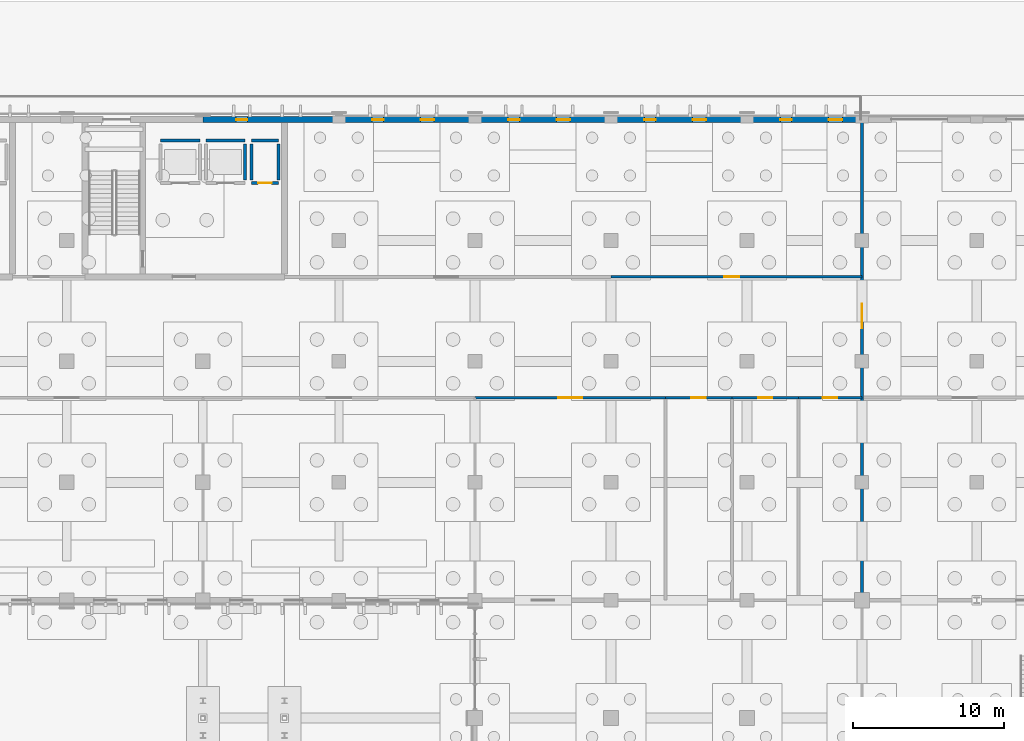
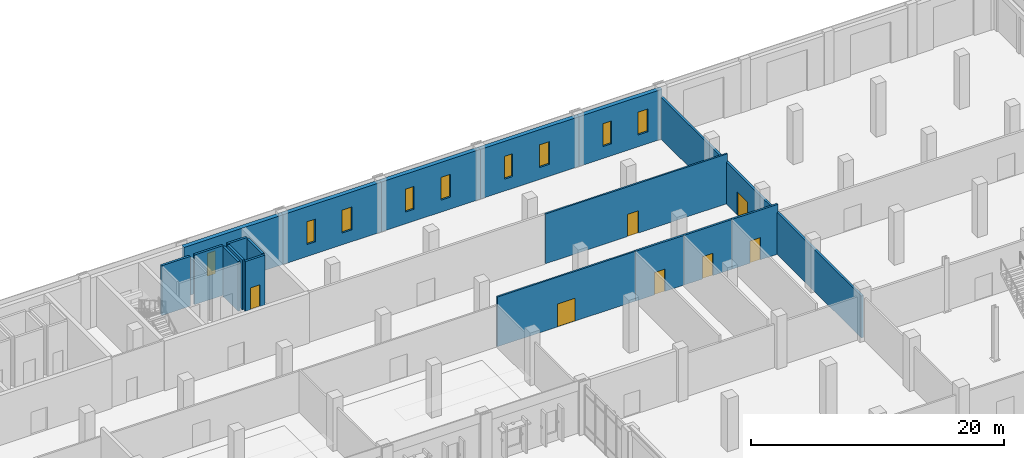
# One storey, part 68 of 94: 18 walls, 9 windows, 7 doors, 16 openings.
"""IFC4 building model written with IfcOpenShell, lengths in metres."""

from ifc_helpers import new_model, si_unit, direction, frame, frame_2d, origin, place, context, subcontext, project, spatial, rectangle, extrude, material, layer, layer_set, type_object, element, fill, save


model = new_model("IFC4")

# Units and contexts
model_context = context("Model", 3, precision=1e-05, world=origin(), true_north=direction((0.0, 1.0)))
body_context = subcontext(model_context, "Body", "Model", "MODEL_VIEW")
ifc_project = project(units=[si_unit("LENGTHUNIT", "METRE"), si_unit("AREAUNIT", "SQUARE_METRE"), si_unit("VOLUMEUNIT", "CUBIC_METRE"), si_unit("PLANEANGLEUNIT", "RADIAN"), si_unit("MASSUNIT", "GRAM", prefix="KILO")], contexts=[model_context])

# Site, building, storey
site_placement = place(None, origin())
site = spatial("IfcSite", under=ifc_project, at=site_placement, CompositionType="ELEMENT")
building_placement = place(site_placement, origin())
building = spatial("IfcBuilding", under=site, at=building_placement, Name="Vervanel Yard Central Library", CompositionType="ELEMENT")
storey_placement = place(building_placement, origin())
storey = spatial("IfcBuildingStorey", under=building, at=storey_placement, Name="L00", CompositionType="ELEMENT", Elevation=0.0)

# Wall, opening, window
ifc_material_1 = material(Name="Concrete C45/55", Category="concrete")
ifc_layer_1 = layer(ifc_material_1, 0.3798828125, Category="concrete")
ifc_layer_set_1 = layer_set([ifc_layer_1], Name="Concrete C45/55")
wall_type_1 = type_object("IfcWallType", Name="Exterior Bearing Concrete Spine Wall 380", PredefinedType="SOLIDWALL", material=ifc_layer_set_1)
wall_1_placement = place(storey_placement, frame((72.0, 114.0, 0.0), z_axis=(0.0, 0.0, 1.0), x_axis=(1.0, 0.0, 0.0)))
wall_1 = element("IfcWall", 1, at=wall_1_placement, inside=storey, type_object=wall_type_1, Name="L00 Exterior Bearing Concrete Spine Wall 380 EWALL-L00-0005", PredefinedType="SOLIDWALL", context=body_context, shape_type="SweptSolid", body=[
    extrude(rectangle(XDim=9.0, YDim=0.3798828125, at=frame_2d((4.5, 0.0))), origin(), (0.0, 0.0, 1.0), 4.800048828125),
])
opening_1_placement = place(wall_1_placement, frame((2.199951171875, 0.0, 1.14990234375)))
opening_1 = element("IfcOpeningElement", 2, at=opening_1_placement, cuts=wall_1, Name="Opening WN-04", PredefinedType="OPENING", context=body_context, shape_type="SweptSolid", body=[
    extrude(rectangle(XDim=0.75, YDim=2.199951171875, at=frame_2d((0.375, 1.10009765625))), frame((0.0, 0.199951171875, 0.0), z_axis=(0.0, -1.0, 0.0), x_axis=(1.0, 0.0, 0.0)), (0.0, 0.0, 1.0), 0.39990234375),
])
ifc_material_2 = material(Name="Double low-E laminated solar-control glass", Category="glass")
window_type_1 = type_object("IfcWindowType", Name="Stack Narrow UV-Filtered Window 750x2200", PartitioningType="SINGLE_PANEL", PredefinedType="WINDOW", material=ifc_material_2)
window_1_placement = place(opening_1_placement, origin())
window_1 = element("IfcWindow", 3, at=window_1_placement, inside=storey, type_object=window_type_1, Name="L00 Stack Narrow UV-Filtered Window 750x2200 5", OverallHeight=2.199951171875, OverallWidth=0.75, PartitioningType="SINGLE_PANEL", PredefinedType="WINDOW", context=body_context, shape_type="SweptSolid", body=[
    extrude(rectangle(XDim=0.75, YDim=2.199951171875, at=frame_2d((0.375, 1.10009765625))), frame((0.0, 0.030029296875, 0.0), z_axis=(0.0, -1.0, 0.0), x_axis=(1.0, 0.0, 0.0)), (0.0, 0.0, 1.0), 0.06005859375),
])
fill(opening_1, window_1)

# Wall, openings, windows
wall_2_placement = place(storey_placement, frame((81.0, 114.0, 0.0), z_axis=(0.0, 0.0, 1.0), x_axis=(1.0, 0.0, 0.0)))
wall_2 = element("IfcWall", 4, at=wall_2_placement, inside=storey, type_object=wall_type_1, Name="L00 Exterior Bearing Concrete Spine Wall 380 EWALL-L00-0006", PredefinedType="SOLIDWALL", context=body_context, shape_type="SweptSolid", body=[
    extrude(rectangle(XDim=9.0, YDim=0.3798828125, at=frame_2d((4.5, 0.0))), origin(), (0.0, 0.0, 1.0), 4.800048828125),
])
opening_2_placement = place(wall_2_placement, frame((2.199951171875, 0.0, 1.14990234375)))
opening_2 = element("IfcOpeningElement", 5, at=opening_2_placement, cuts=wall_2, Name="Opening WN-04", PredefinedType="OPENING", context=body_context, shape_type="SweptSolid", body=[
    extrude(rectangle(XDim=0.75, YDim=2.199951171875, at=frame_2d((0.375, 1.10009765625))), frame((0.0, 0.199951171875, 0.0), z_axis=(0.0, -1.0, 0.0), x_axis=(1.0, 0.0, 0.0)), (0.0, 0.0, 1.0), 0.39990234375),
])
opening_3_placement = place(wall_2_placement, frame((5.39990234375, 0.0, 1.14990234375)))
opening_3 = element("IfcOpeningElement", 6, at=opening_3_placement, cuts=wall_2, Name="Opening WN-05", PredefinedType="OPENING", context=body_context, shape_type="SweptSolid", body=[
    extrude(rectangle(XDim=0.89990234375, YDim=2.199951171875, at=frame_2d((0.449951171875, 1.10009765625))), frame((0.0, 0.199951171875, 0.0), z_axis=(0.0, -1.0, 0.0), x_axis=(1.0, 0.0, 0.0)), (0.0, 0.0, 1.0), 0.39990234375),
])
window_type_2 = type_object("IfcWindowType", Name="Stack Deep-Reveal Window 900x2200", PartitioningType="SINGLE_PANEL", PredefinedType="WINDOW", material=ifc_material_2)
window_2_placement = place(opening_3_placement, origin())
window_2 = element("IfcWindow", 7, at=window_2_placement, inside=storey, type_object=window_type_2, Name="L00 Stack Deep-Reveal Window 900x2200 8", OverallHeight=2.199951171875, OverallWidth=0.89990234375, PartitioningType="SINGLE_PANEL", PredefinedType="WINDOW", context=body_context, shape_type="SweptSolid", body=[
    extrude(rectangle(XDim=0.89990234375, YDim=2.199951171875, at=frame_2d((0.449951171875, 1.10009765625))), frame((0.0, 0.030029296875, 0.0), z_axis=(0.0, -1.0, 0.0), x_axis=(1.0, 0.0, 0.0)), (0.0, 0.0, 1.0), 0.06005859375),
])
fill(opening_3, window_2)
window_3_placement = place(opening_2_placement, origin())
window_3 = element("IfcWindow", 8, at=window_3_placement, inside=storey, type_object=window_type_1, Name="L00 Stack Narrow UV-Filtered Window 750x2200 7", OverallHeight=2.199951171875, OverallWidth=0.75, PartitioningType="SINGLE_PANEL", PredefinedType="WINDOW", context=body_context, shape_type="SweptSolid", body=[
    extrude(rectangle(XDim=0.75, YDim=2.199951171875, at=frame_2d((0.375, 1.10009765625))), frame((0.0, 0.030029296875, 0.0), z_axis=(0.0, -1.0, 0.0), x_axis=(1.0, 0.0, 0.0)), (0.0, 0.0, 1.0), 0.06005859375),
])
fill(opening_2, window_3)

wall_3_placement = place(storey_placement, frame((90.0, 114.0, 0.0), z_axis=(0.0, 0.0, 1.0), x_axis=(1.0, 0.0, 0.0)))
wall_3 = element("IfcWall", 9, at=wall_3_placement, inside=storey, type_object=wall_type_1, Name="L00 Exterior Bearing Concrete Spine Wall 380 EWALL-L00-0007", PredefinedType="SOLIDWALL", context=body_context, shape_type="SweptSolid", body=[
    extrude(rectangle(XDim=9.0, YDim=0.3798828125, at=frame_2d((4.5, 0.0))), origin(), (0.0, 0.0, 1.0), 4.800048828125),
])
opening_4_placement = place(wall_3_placement, frame((2.199951171875, 0.0, 1.14990234375)))
opening_4 = element("IfcOpeningElement", 10, at=opening_4_placement, cuts=wall_3, Name="Opening WN-04", PredefinedType="OPENING", context=body_context, shape_type="SweptSolid", body=[
    extrude(rectangle(XDim=0.75, YDim=2.199951171875, at=frame_2d((0.375, 1.10009765625))), frame((0.0, 0.199951171875, 0.0), z_axis=(0.0, -1.0, 0.0), x_axis=(1.0, 0.0, 0.0)), (0.0, 0.0, 1.0), 0.39990234375),
])
opening_5_placement = place(wall_3_placement, frame((5.39990234375, 0.0, 1.14990234375)))
opening_5 = element("IfcOpeningElement", 11, at=opening_5_placement, cuts=wall_3, Name="Opening WN-05", PredefinedType="OPENING", context=body_context, shape_type="SweptSolid", body=[
    extrude(rectangle(XDim=0.89990234375, YDim=2.199951171875, at=frame_2d((0.449951171875, 1.10009765625))), frame((0.0, 0.199951171875, 0.0), z_axis=(0.0, -1.0, 0.0), x_axis=(1.0, 0.0, 0.0)), (0.0, 0.0, 1.0), 0.39990234375),
])
window_4_placement = place(opening_5_placement, origin())
window_4 = element("IfcWindow", 12, at=window_4_placement, inside=storey, type_object=window_type_2, Name="L00 Stack Deep-Reveal Window 900x2200 10", OverallHeight=2.199951171875, OverallWidth=0.89990234375, PartitioningType="SINGLE_PANEL", PredefinedType="WINDOW", context=body_context, shape_type="SweptSolid", body=[
    extrude(rectangle(XDim=0.89990234375, YDim=2.199951171875, at=frame_2d((0.449951171875, 1.10009765625))), frame((0.0, 0.030029296875, 0.0), z_axis=(0.0, -1.0, 0.0), x_axis=(1.0, 0.0, 0.0)), (0.0, 0.0, 1.0), 0.06005859375),
])
fill(opening_5, window_4)
window_5_placement = place(opening_4_placement, origin())
window_5 = element("IfcWindow", 13, at=window_5_placement, inside=storey, type_object=window_type_1, Name="L00 Stack Narrow UV-Filtered Window 750x2200 9", OverallHeight=2.199951171875, OverallWidth=0.75, PartitioningType="SINGLE_PANEL", PredefinedType="WINDOW", context=body_context, shape_type="SweptSolid", body=[
    extrude(rectangle(XDim=0.75, YDim=2.199951171875, at=frame_2d((0.375, 1.10009765625))), frame((0.0, 0.030029296875, 0.0), z_axis=(0.0, -1.0, 0.0), x_axis=(1.0, 0.0, 0.0)), (0.0, 0.0, 1.0), 0.06005859375),
])
fill(opening_4, window_5)

wall_4_placement = place(storey_placement, frame((99.0, 114.0, 0.0), z_axis=(0.0, 0.0, 1.0), x_axis=(1.0, 0.0, 0.0)))
wall_4 = element("IfcWall", 14, at=wall_4_placement, inside=storey, type_object=wall_type_1, Name="L00 Exterior Bearing Concrete Spine Wall 380 EWALL-L00-0008", PredefinedType="SOLIDWALL", context=body_context, shape_type="SweptSolid", body=[
    extrude(rectangle(XDim=9.0, YDim=0.3798828125, at=frame_2d((4.5, 0.0))), origin(), (0.0, 0.0, 1.0), 4.800048828125),
])
opening_6_placement = place(wall_4_placement, frame((2.199951171875, 0.0, 1.14990234375)))
opening_6 = element("IfcOpeningElement", 15, at=opening_6_placement, cuts=wall_4, Name="Opening WN-04", PredefinedType="OPENING", context=body_context, shape_type="SweptSolid", body=[
    extrude(rectangle(XDim=0.75, YDim=2.199951171875, at=frame_2d((0.375, 1.10009765625))), frame((0.0, 0.199951171875, 0.0), z_axis=(0.0, -1.0, 0.0), x_axis=(1.0, 0.0, 0.0)), (0.0, 0.0, 1.0), 0.39990234375),
])
opening_7_placement = place(wall_4_placement, frame((5.39990234375, 0.0, 1.14990234375)))
opening_7 = element("IfcOpeningElement", 16, at=opening_7_placement, cuts=wall_4, Name="Opening WN-05", PredefinedType="OPENING", context=body_context, shape_type="SweptSolid", body=[
    extrude(rectangle(XDim=0.89990234375, YDim=2.199951171875, at=frame_2d((0.449951171875, 1.10009765625))), frame((0.0, 0.199951171875, 0.0), z_axis=(0.0, -1.0, 0.0), x_axis=(1.0, 0.0, 0.0)), (0.0, 0.0, 1.0), 0.39990234375),
])
window_6_placement = place(opening_7_placement, origin())
window_6 = element("IfcWindow", 17, at=window_6_placement, inside=storey, type_object=window_type_2, Name="L00 Stack Deep-Reveal Window 900x2200 12", OverallHeight=2.199951171875, OverallWidth=0.89990234375, PartitioningType="SINGLE_PANEL", PredefinedType="WINDOW", context=body_context, shape_type="SweptSolid", body=[
    extrude(rectangle(XDim=0.89990234375, YDim=2.199951171875, at=frame_2d((0.449951171875, 1.10009765625))), frame((0.0, 0.030029296875, 0.0), z_axis=(0.0, -1.0, 0.0), x_axis=(1.0, 0.0, 0.0)), (0.0, 0.0, 1.0), 0.06005859375),
])
fill(opening_7, window_6)
window_7_placement = place(opening_6_placement, origin())
window_7 = element("IfcWindow", 18, at=window_7_placement, inside=storey, type_object=window_type_1, Name="L00 Stack Narrow UV-Filtered Window 750x2200 11", OverallHeight=2.199951171875, OverallWidth=0.75, PartitioningType="SINGLE_PANEL", PredefinedType="WINDOW", context=body_context, shape_type="SweptSolid", body=[
    extrude(rectangle(XDim=0.75, YDim=2.199951171875, at=frame_2d((0.375, 1.10009765625))), frame((0.0, 0.030029296875, 0.0), z_axis=(0.0, -1.0, 0.0), x_axis=(1.0, 0.0, 0.0)), (0.0, 0.0, 1.0), 0.06005859375),
])
fill(opening_6, window_7)

wall_5_placement = place(storey_placement, frame((108.0, 114.0, 0.0), z_axis=(0.0, 0.0, 1.0), x_axis=(1.0, 0.0, 0.0)))
wall_5 = element("IfcWall", 19, at=wall_5_placement, inside=storey, type_object=wall_type_1, Name="L00 Exterior Bearing Concrete Spine Wall 380 EWALL-L00-0009", PredefinedType="SOLIDWALL", context=body_context, shape_type="SweptSolid", body=[
    extrude(rectangle(XDim=7.60009765625, YDim=0.3798828125, at=frame_2d((3.800048828125, 0.0))), origin(), (0.0, 0.0, 1.0), 4.800048828125),
])
opening_8_placement = place(wall_5_placement, frame((2.199951171875, 0.0, 1.14990234375)))
opening_8 = element("IfcOpeningElement", 20, at=opening_8_placement, cuts=wall_5, Name="Opening WN-04", PredefinedType="OPENING", context=body_context, shape_type="SweptSolid", body=[
    extrude(rectangle(XDim=0.75, YDim=2.199951171875, at=frame_2d((0.375, 1.10009765625))), frame((0.0, 0.199951171875, 0.0), z_axis=(0.0, -1.0, 0.0), x_axis=(1.0, 0.0, 0.0)), (0.0, 0.0, 1.0), 0.39990234375),
])
opening_9_placement = place(wall_5_placement, frame((5.39990234375, 0.0, 1.14990234375)))
opening_9 = element("IfcOpeningElement", 21, at=opening_9_placement, cuts=wall_5, Name="Opening WN-05", PredefinedType="OPENING", context=body_context, shape_type="SweptSolid", body=[
    extrude(rectangle(XDim=0.89990234375, YDim=2.199951171875, at=frame_2d((0.449951171875, 1.10009765625))), frame((0.0, 0.199951171875, 0.0), z_axis=(0.0, -1.0, 0.0), x_axis=(1.0, 0.0, 0.0)), (0.0, 0.0, 1.0), 0.39990234375),
])
window_8_placement = place(opening_9_placement, origin())
window_8 = element("IfcWindow", 22, at=window_8_placement, inside=storey, type_object=window_type_2, Name="L00 Stack Deep-Reveal Window 900x2200 14", OverallHeight=2.199951171875, OverallWidth=0.89990234375, PartitioningType="SINGLE_PANEL", PredefinedType="WINDOW", context=body_context, shape_type="SweptSolid", body=[
    extrude(rectangle(XDim=0.89990234375, YDim=2.199951171875, at=frame_2d((0.449951171875, 1.10009765625))), frame((0.0, 0.030029296875, 0.0), z_axis=(0.0, -1.0, 0.0), x_axis=(1.0, 0.0, 0.0)), (0.0, 0.0, 1.0), 0.06005859375),
])
fill(opening_9, window_8)
window_9_placement = place(opening_8_placement, origin())
window_9 = element("IfcWindow", 23, at=window_9_placement, inside=storey, type_object=window_type_1, Name="L00 Stack Narrow UV-Filtered Window 750x2200 13", OverallHeight=2.199951171875, OverallWidth=0.75, PartitioningType="SINGLE_PANEL", PredefinedType="WINDOW", context=body_context, shape_type="SweptSolid", body=[
    extrude(rectangle(XDim=0.75, YDim=2.199951171875, at=frame_2d((0.375, 1.10009765625))), frame((0.0, 0.030029296875, 0.0), z_axis=(0.0, -1.0, 0.0), x_axis=(1.0, 0.0, 0.0)), (0.0, 0.0, 1.0), 0.06005859375),
])
fill(opening_8, window_9)

# Wall, opening, door
ifc_material_3 = material(Name="Fire-rated gypsum board on steel studs", Category="steel")
ifc_layer_2 = layer(ifc_material_3, 0.14990234375, Category="steel")
ifc_layer_set_2 = layer_set([ifc_layer_2], Name="Fire-rated gypsum board on steel studs")
wall_type_2 = type_object("IfcWallType", Name="Interior Partition 150", PredefinedType="PARTITIONING", material=ifc_layer_set_2)
wall_6_placement = place(storey_placement, frame((90.0, 95.60009765625, 0.0), z_axis=(0.0, 0.0, 1.0), x_axis=(1.0, 0.0, 0.0)))
wall_6 = element("IfcWall", 24, at=wall_6_placement, inside=storey, type_object=wall_type_2, Name="L00 Interior Partition 150 IPART-L00-0006", PredefinedType="PARTITIONING", context=body_context, shape_type="SweptSolid", body=[
    extrude(rectangle(XDim=12.60009765625, YDim=0.14990234375, at=frame_2d((6.300048828125, 0.0))), origin(), (0.0, 0.0, 1.0), 4.800048828125),
])
opening_10_placement = place(wall_6_placement, frame((5.5, 0.0, 0.0)))
opening_10 = element("IfcOpeningElement", 25, at=opening_10_placement, cuts=wall_6, Name="Opening DR-04", PredefinedType="OPENING", context=body_context, shape_type="SweptSolid", body=[
    extrude(rectangle(XDim=1.60009765625, YDim=2.199951171875, at=frame_2d((0.800048828125, 1.10009765625))), frame((0.0, 0.0849609375, 0.0), z_axis=(0.0, -1.0, 0.0), x_axis=(1.0, 0.0, 0.0)), (0.0, 0.0, 1.0), 0.169921875),
])
ifc_material_4 = material(Name="Solid white oak acoustic joinery", Category="wood")
door_type_1 = type_object("IfcDoorType", Name="Interior Double Reading Door 1600x2200", OperationType="NOTDEFINED", PredefinedType="DOOR", material=ifc_material_4)
door_1_placement = place(opening_10_placement, origin())
door_1 = element("IfcDoor", 26, at=door_1_placement, inside=storey, type_object=door_type_1, Name="L00 Interior Double Reading Door 1600x2200 IDOOR-L00-0004", OperationType="DOUBLE_DOOR_SINGLE_SWING", OverallHeight=2.199951171875, OverallWidth=1.60009765625, PredefinedType="DOOR", context=body_context, shape_type="SweptSolid", body=[
    extrude(rectangle(XDim=1.60009765625, YDim=2.199951171875, at=frame_2d((0.800048828125, 1.10009765625))), frame((0.0, 0.02490234375, 0.0), z_axis=(0.0, -1.0, 0.0), x_axis=(1.0, 0.0, 0.0)), (0.0, 0.0, 1.0), 0.050048828125),
])
fill(opening_10, door_1)

wall_7_placement = place(storey_placement, frame((99.0, 103.60009765625, 0.0), z_axis=(0.0, 0.0, 1.0), x_axis=(1.0, 0.0, 0.0)))
wall_7 = element("IfcWall", 27, at=wall_7_placement, inside=storey, type_object=wall_type_2, Name="L00 Interior Partition 150 IPART-L00-0017", PredefinedType="PARTITIONING", context=body_context, shape_type="SweptSolid", body=[
    extrude(rectangle(XDim=16.60009765625, YDim=0.14990234375, at=frame_2d((8.300048828125, 0.0))), origin(), (0.0, 0.0, 1.0), 4.800048828125),
])
opening_11_placement = place(wall_7_placement, frame((7.5, 0.0, 0.0)))
opening_11 = element("IfcOpeningElement", 28, at=opening_11_placement, cuts=wall_7, Name="Opening DR-01", PredefinedType="OPENING", context=body_context, shape_type="SweptSolid", body=[
    extrude(rectangle(XDim=1.0, YDim=2.14990234375, at=frame_2d((0.5, 1.074951171875))), frame((0.0, 0.0849609375, 0.0), z_axis=(0.0, -1.0, 0.0), x_axis=(1.0, 0.0, 0.0)), (0.0, 0.0, 1.0), 0.169921875),
])
door_type_2 = type_object("IfcDoorType", Name="Interior Single Door 1000x2150", OperationType="NOTDEFINED", PredefinedType="DOOR", material=ifc_material_4)
door_2_placement = place(opening_11_placement, origin())
door_2 = element("IfcDoor", 29, at=door_2_placement, inside=storey, type_object=door_type_2, Name="L00 Interior Single Door 1000x2150 IDOOR-L00-0011", OperationType="SINGLE_SWING_LEFT", OverallHeight=2.14990234375, OverallWidth=1.0, PredefinedType="DOOR", context=body_context, shape_type="SweptSolid", body=[
    extrude(rectangle(XDim=1.0, YDim=2.14990234375, at=frame_2d((0.5, 1.074951171875))), frame((0.0, 0.02490234375, 0.0), z_axis=(0.0, -1.0, 0.0), x_axis=(1.0, 0.0, 0.0)), (0.0, 0.0, 1.0), 0.050048828125),
])
fill(opening_11, door_2)

ifc_layer_3 = layer(ifc_material_3, 0.179931640625, Category="steel")
ifc_layer_set_3 = layer_set([ifc_layer_3], Name="Fire-rated gypsum board on steel studs")
wall_type_3 = type_object("IfcWallType", Name="Plumbing Chase Wall 180", PredefinedType="PLUMBINGWALL", material=ifc_layer_set_3)
wall_8_placement = place(storey_placement, frame((102.60009765625, 95.60009765625, 0.0), z_axis=(0.0, 0.0, 1.0), x_axis=(1.0, 0.0, 0.0)))
wall_8 = element("IfcWall", 30, at=wall_8_placement, inside=storey, type_object=wall_type_3, Name="L00 Plumbing Chase Wall 180 IPART-L00-0008", PredefinedType="PLUMBINGWALL", context=body_context, shape_type="SweptSolid", body=[
    extrude(rectangle(XDim=4.39990234375, YDim=0.179931640625, at=frame_2d((2.199951171875, 0.0))), origin(), (0.0, 0.0, 1.0), 4.800048828125),
])
opening_12_placement = place(wall_8_placement, frame((1.72509765625, 0.0, 0.0)))
opening_12 = element("IfcOpeningElement", 31, at=opening_12_placement, cuts=wall_8, Name="Opening DR-02", PredefinedType="OPENING", context=body_context, shape_type="SweptSolid", body=[
    extrude(rectangle(XDim=0.949951171875, YDim=2.14990234375, at=frame_2d((0.47509765625, 1.074951171875))), frame((0.0, 0.099853515625, 0.0), z_axis=(0.0, -1.0, 0.0), x_axis=(1.0, 0.0, 0.0)), (0.0, 0.0, 1.0), 0.199951171875),
])
door_type_3 = type_object("IfcDoorType", Name="Interior Accessible Restroom Door 950x2150", OperationType="NOTDEFINED", PredefinedType="DOOR", material=ifc_material_4)
door_3_placement = place(opening_12_placement, origin())
door_3 = element("IfcDoor", 32, at=door_3_placement, inside=storey, type_object=door_type_3, Name="L00 Interior Accessible Restroom Door 950x2150 IDOOR-L00-0005", OperationType="SINGLE_SWING_LEFT", OverallHeight=2.14990234375, OverallWidth=0.949951171875, PredefinedType="DOOR", context=body_context, shape_type="SweptSolid", body=[
    extrude(rectangle(XDim=0.949951171875, YDim=2.14990234375, at=frame_2d((0.47509765625, 1.074951171875))), frame((0.0, 0.02490234375, 0.0), z_axis=(0.0, -1.0, 0.0), x_axis=(1.0, 0.0, 0.0)), (0.0, 0.0, 1.0), 0.050048828125),
])
fill(opening_12, door_3)

wall_9_placement = place(storey_placement, frame((107.0, 95.60009765625, 0.0), z_axis=(0.0, 0.0, 1.0), x_axis=(1.0, 0.0, 0.0)))
wall_9 = element("IfcWall", 33, at=wall_9_placement, inside=storey, type_object=wall_type_3, Name="L00 Plumbing Chase Wall 180 IPART-L00-0010", PredefinedType="PLUMBINGWALL", context=body_context, shape_type="SweptSolid", body=[
    extrude(rectangle(XDim=4.39990234375, YDim=0.179931640625, at=frame_2d((2.199951171875, 0.0))), origin(), (0.0, 0.0, 1.0), 4.800048828125),
])
opening_13_placement = place(wall_9_placement, frame((1.72509765625, 0.0, 0.0)))
opening_13 = element("IfcOpeningElement", 34, at=opening_13_placement, cuts=wall_9, Name="Opening DR-02", PredefinedType="OPENING", context=body_context, shape_type="SweptSolid", body=[
    extrude(rectangle(XDim=0.949951171875, YDim=2.14990234375, at=frame_2d((0.47509765625, 1.074951171875))), frame((0.0, 0.099853515625, 0.0), z_axis=(0.0, -1.0, 0.0), x_axis=(1.0, 0.0, 0.0)), (0.0, 0.0, 1.0), 0.199951171875),
])
door_4_placement = place(opening_13_placement, origin())
door_4 = element("IfcDoor", 35, at=door_4_placement, inside=storey, type_object=door_type_3, Name="L00 Interior Accessible Restroom Door 950x2150 IDOOR-L00-0006", OperationType="SINGLE_SWING_RIGHT", OverallHeight=2.14990234375, OverallWidth=0.949951171875, PredefinedType="DOOR", context=body_context, shape_type="SweptSolid", body=[
    extrude(rectangle(XDim=0.949951171875, YDim=2.14990234375, at=frame_2d((0.47509765625, 1.074951171875))), frame((0.0, 0.02490234375, 0.0), z_axis=(0.0, -1.0, 0.0), x_axis=(1.0, 0.0, 0.0)), (0.0, 0.0, 1.0), 0.050048828125),
])
fill(opening_13, door_4)

wall_10_placement = place(storey_placement, frame((111.39990234375, 95.60009765625, 0.0), z_axis=(0.0, 0.0, 1.0), x_axis=(1.0, 0.0, 0.0)))
wall_10 = element("IfcWall", 36, at=wall_10_placement, inside=storey, type_object=wall_type_3, Name="L00 Plumbing Chase Wall 180 IPART-L00-0012", PredefinedType="PLUMBINGWALL", context=body_context, shape_type="SweptSolid", body=[
    extrude(rectangle(XDim=4.2001953125, YDim=0.179931640625, at=frame_2d((2.10009765625, 0.0))), origin(), (0.0, 0.0, 1.0), 4.800048828125),
])
opening_14_placement = place(wall_10_placement, frame((1.625, 0.0, 0.0)))
opening_14 = element("IfcOpeningElement", 37, at=opening_14_placement, cuts=wall_10, Name="Opening DR-02", PredefinedType="OPENING", context=body_context, shape_type="SweptSolid", body=[
    extrude(rectangle(XDim=0.949951171875, YDim=2.14990234375, at=frame_2d((0.47509765625, 1.074951171875))), frame((0.0, 0.099853515625, 0.0), z_axis=(0.0, -1.0, 0.0), x_axis=(1.0, 0.0, 0.0)), (0.0, 0.0, 1.0), 0.199951171875),
])
door_5_placement = place(opening_14_placement, origin())
door_5 = element("IfcDoor", 38, at=door_5_placement, inside=storey, type_object=door_type_3, Name="L00 Interior Accessible Restroom Door 950x2150 IDOOR-L00-0007", OperationType="SINGLE_SWING_LEFT", OverallHeight=2.14990234375, OverallWidth=0.949951171875, PredefinedType="DOOR", context=body_context, shape_type="SweptSolid", body=[
    extrude(rectangle(XDim=0.949951171875, YDim=2.14990234375, at=frame_2d((0.47509765625, 1.074951171875))), frame((0.0, 0.02490234375, 0.0), z_axis=(0.0, -1.0, 0.0), x_axis=(1.0, 0.0, 0.0)), (0.0, 0.0, 1.0), 0.050048828125),
])
fill(opening_14, door_5)

# Walls
ifc_material_5 = material(Name="Concrete C40/50", Category="concrete")
ifc_layer_4 = layer(ifc_material_5, 0.199951171875, Category="concrete")
ifc_layer_set_4 = layer_set([ifc_layer_4], Name="Concrete C40/50")
wall_type_4 = type_object("IfcWallType", Name="Shaft & Plant Rated Wall 200", PredefinedType="PARTITIONING", material=ifc_layer_set_4)
for number, where, z_axis, x_axis, name in (
    (39, (69.199951171875, 112.60009765625, 0.0), (0.0, 0.0, 1.0), (1.0, 0.0, 0.0), "L00 CORE-B-L00-EL-03 Shaft Wall N"),
    (40, (72.199951171875, 112.60009765625, 0.0), (0.0, 0.0, 1.0), (1.0, 0.0, 0.0), "L00 CORE-B-L00-EL-04 Shaft Wall N"),
):
    element("IfcWall", number, at=place(storey_placement, frame(where, z_axis=z_axis, x_axis=x_axis)), inside=storey, type_object=wall_type_4, Name=name, PredefinedType="PARTITIONING", context=body_context, shape_type="SweptSolid", body=[
        extrude(rectangle(XDim=2.60009765625, YDim=0.199951171875, at=frame_2d((1.300048828125, 0.0))), origin(), (0.0, 0.0, 1.0), 4.800048828125),
    ])
wall_11_placement = place(storey_placement, frame((74.800048828125, 110.0, 0.0), z_axis=(0.0, 0.0, 1.0), x_axis=(0.0, 1.0, 0.0)))
element("IfcWall", 41, at=wall_11_placement, inside=storey, type_object=wall_type_4, Name="L00 CORE-B-L00-EL-04 Shaft Wall E", PredefinedType="PARTITIONING", context=body_context, shape_type="SweptSolid", body=[
    extrude(rectangle(XDim=2.39990234375, YDim=0.199951171875, at=frame_2d((1.199951171875, 0.0))), origin(), (0.0, 0.0, 1.0), 4.800048828125),
])

# Wall, opening, door
wall_12_placement = place(storey_placement, frame((75.199951171875, 109.800048828125, 0.0), z_axis=(0.0, 0.0, 1.0), x_axis=(1.0, 0.0, 0.0)))
wall_12 = element("IfcWall", 42, at=wall_12_placement, inside=storey, type_object=wall_type_4, Name="L00 CORE-B-L00-RIS Shaft Wall S", PredefinedType="PARTITIONING", context=body_context, shape_type="SweptSolid", body=[
    extrude(rectangle(XDim=1.800048828125, YDim=0.199951171875, at=frame_2d((0.89990234375, 0.0))), origin(), (0.0, 0.0, 1.0), 4.800048828125),
])
opening_15_placement = place(wall_12_placement, frame((0.449951171875, 0.0, 0.0)))
opening_15 = element("IfcOpeningElement", 43, at=opening_15_placement, cuts=wall_12, Name="Opening DR-03", PredefinedType="OPENING", context=body_context, shape_type="SweptSolid", body=[
    extrude(rectangle(XDim=0.89990234375, YDim=2.10009765625, at=frame_2d((0.449951171875, 1.050048828125))), frame((0.0, 0.10986328125, 0.0), z_axis=(0.0, -1.0, 0.0), x_axis=(1.0, 0.0, 0.0)), (0.0, 0.0, 1.0), 0.219970703125),
])
ifc_material_6 = material(Name="Galvanized painted steelwork ASTM A500 Grade C", Category="steel")
door_type_4 = type_object("IfcDoorType", Name="Interior Riser Access Door 900x2100", OperationType="NOTDEFINED", PredefinedType="DOOR", material=ifc_material_6)
door_6_placement = place(opening_15_placement, origin())
door_6 = element("IfcDoor", 44, at=door_6_placement, inside=storey, type_object=door_type_4, Name="L00 CORE-B Riser Access Door", OperationType="SINGLE_SWING_RIGHT", OverallHeight=2.10009765625, OverallWidth=0.89990234375, PredefinedType="DOOR", context=body_context, shape_type="SweptSolid", body=[
    extrude(rectangle(XDim=0.89990234375, YDim=2.10009765625, at=frame_2d((0.449951171875, 1.050048828125))), frame((0.0, 0.02490234375, 0.0), z_axis=(0.0, -1.0, 0.0), x_axis=(1.0, 0.0, 0.0)), (0.0, 0.0, 1.0), 0.050048828125),
])
fill(opening_15, door_6)

# Walls
wall_13_placement = place(storey_placement, frame((75.199951171875, 112.60009765625, 0.0), z_axis=(0.0, 0.0, 1.0), x_axis=(1.0, 0.0, 0.0)))
element("IfcWall", 45, at=wall_13_placement, inside=storey, type_object=wall_type_4, Name="L00 CORE-B-L00-RIS Shaft Wall N", PredefinedType="PARTITIONING", context=body_context, shape_type="SweptSolid", body=[
    extrude(rectangle(XDim=1.800048828125, YDim=0.199951171875, at=frame_2d((0.89990234375, 0.0))), origin(), (0.0, 0.0, 1.0), 4.800048828125),
])
for number, where, z_axis, x_axis, name in (
    (46, (75.199951171875, 110.0, 0.0), (0.0, 0.0, 1.0), (0.0, 1.0, 0.0), "L00 CORE-B-L00-RIS Shaft Wall W"),
    (47, (77.0, 110.0, 0.0), (0.0, 0.0, 1.0), (0.0, 1.0, 0.0), "L00 CORE-B-L00-RIS Shaft Wall E"),
):
    element("IfcWall", number, at=place(storey_placement, frame(where, z_axis=z_axis, x_axis=x_axis)), inside=storey, type_object=wall_type_4, Name=name, PredefinedType="PARTITIONING", context=body_context, shape_type="SweptSolid", body=[
        extrude(rectangle(XDim=2.39990234375, YDim=0.199951171875, at=frame_2d((1.199951171875, 0.0))), origin(), (0.0, 0.0, 1.0), 4.800048828125),
    ])

# Wall, opening, door
wall_14_placement = place(storey_placement, frame((115.60009765625, 82.199951171875, 0.0), z_axis=(0.0, 0.0, 1.0), x_axis=(0.0, 1.0, 0.0)))
wall_14 = element("IfcWall", 48, at=wall_14_placement, inside=storey, type_object=wall_type_4, Name="L00 Shaft & Plant Rated Wall 200 IPART-L00-0018", PredefinedType="PARTITIONING", context=body_context, shape_type="SweptSolid", body=[
    extrude(rectangle(XDim=31.800048828125, YDim=0.199951171875, at=frame_2d((15.89990234375, 0.0))), origin(), (0.0, 0.0, 1.0), 4.044921875),
])
opening_16_placement = place(wall_14_placement, frame((18.0, 0.0, 0.0)))
opening_16 = element("IfcOpeningElement", 49, at=opening_16_placement, cuts=wall_14, Name="Opening DR-F03", PredefinedType="OPENING", context=body_context, shape_type="SweptSolid", body=[
    extrude(rectangle(XDim=1.60009765625, YDim=2.199951171875, at=frame_2d((0.800048828125, 1.10009765625))), frame((0.0, 0.10986328125, 0.0), z_axis=(0.0, -1.0, 0.0), x_axis=(1.0, 0.0, 0.0)), (0.0, 0.0, 1.0), 0.219970703125),
])
door_type_5 = type_object("IfcDoorType", Name="Fire-Rated Plant Double Door 1600x2200", OperationType="NOTDEFINED", PredefinedType="DOOR", material=ifc_material_6)
door_7_placement = place(opening_16_placement, origin())
door_7 = element("IfcDoor", 50, at=door_7_placement, inside=storey, type_object=door_type_5, Name="L00 Fire-Rated Plant Double Door 1600x2200 IDOOR-L00-0012", OperationType="DOUBLE_DOOR_SINGLE_SWING", OverallHeight=2.199951171875, OverallWidth=1.60009765625, PredefinedType="DOOR", context=body_context, shape_type="SweptSolid", body=[
    extrude(rectangle(XDim=1.60009765625, YDim=2.199951171875, at=frame_2d((0.800048828125, 1.10009765625))), frame((0.0, 0.02490234375, 0.0), z_axis=(0.0, -1.0, 0.0), x_axis=(1.0, 0.0, 0.0)), (0.0, 0.0, 1.0), 0.050048828125),
])
fill(opening_16, door_7)

save(model, "model.ifc")
